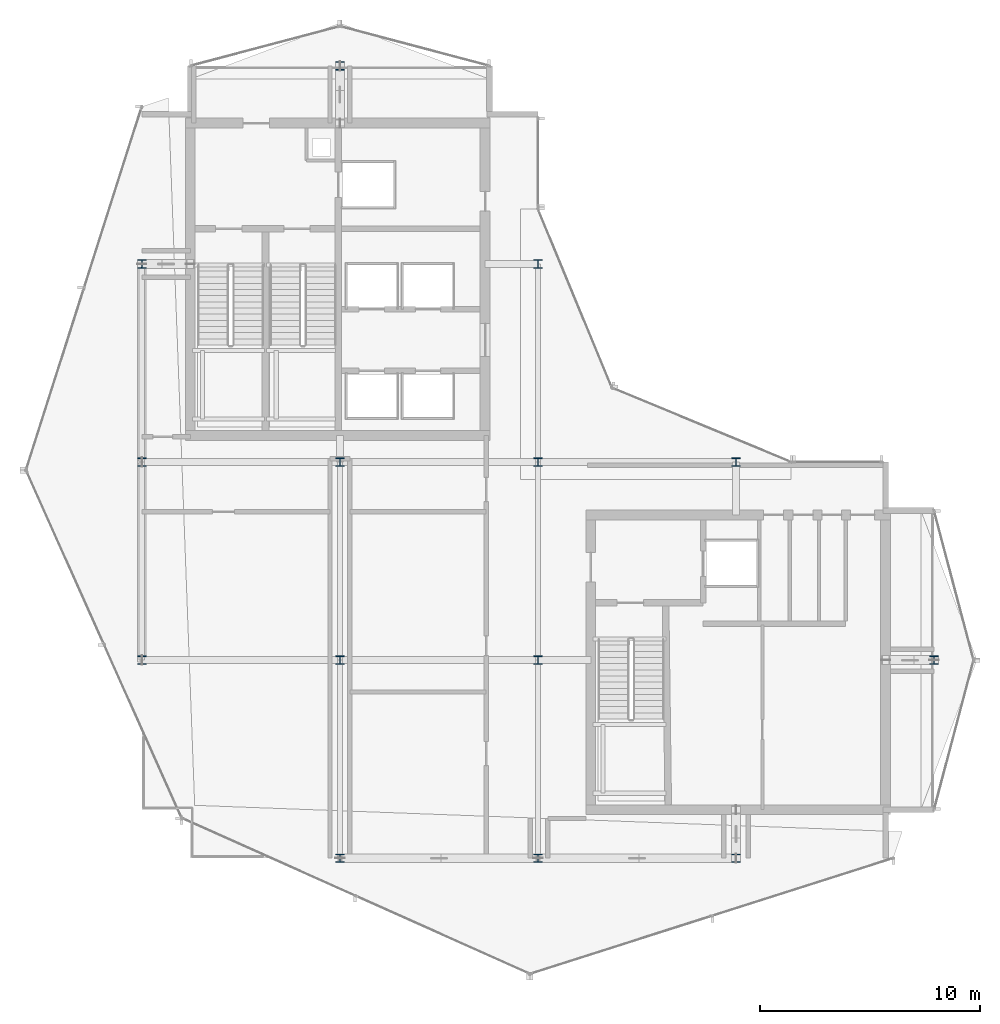
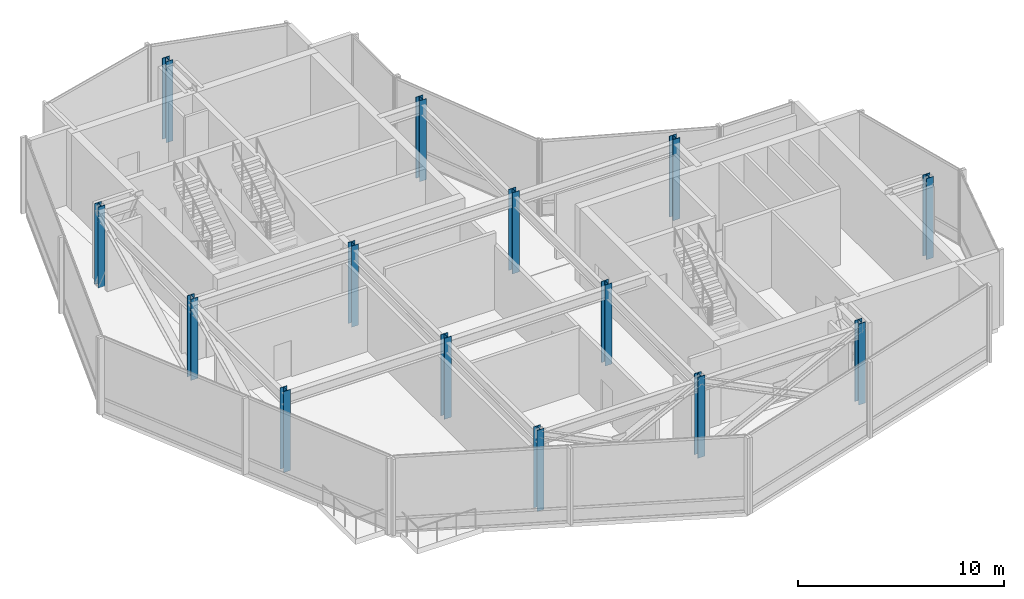
# One storey, part 1 of 23: 14 columns.
"""IFC4 building model written with IfcOpenShell, lengths in metres."""

from ifc_helpers import new_model, si_unit, direction, frame, origin, origin_2d, place, context, subcontext, project, spatial, i_section, extrude, material, material_profile, profile_set, type_object, element, save


model = new_model("IFC4")

# Units and contexts
model_context = context("Model", 3, precision=1e-05, world=origin(), true_north=direction((0.0, 1.0)))
body_context = subcontext(model_context, "Body", "Model", "MODEL_VIEW")
ifc_project = project(units=[si_unit("LENGTHUNIT", "METRE"), si_unit("AREAUNIT", "SQUARE_METRE"), si_unit("VOLUMEUNIT", "CUBIC_METRE"), si_unit("PLANEANGLEUNIT", "RADIAN"), si_unit("MASSUNIT", "GRAM", prefix="KILO")], contexts=[model_context])

# Site, building, storey
site_placement = place(None, origin())
site = spatial("IfcSite", under=ifc_project, at=site_placement, CompositionType="ELEMENT")
building_placement = place(site_placement, origin())
building = spatial("IfcBuilding", under=site, at=building_placement, Name="Solvaryn Broadcast Tower", CompositionType="ELEMENT")
storey_placement = place(building_placement, frame((0.0, 0.0, 285.199951171875)))
storey = spatial("IfcBuildingStorey", under=building, at=storey_placement, Name="L72", CompositionType="ELEMENT", Elevation=285.199951171875)

# Columns
ifc_material_1 = material(Name="Steel ASTM A913 Grade 65", Category="steel")
ifc_material_profile_1 = material_profile(ifc_material_1, i_section(OverallWidth=0.39404296875, OverallDepth=0.375, WebThickness=0.017333984375, FlangeThickness=0.027587890625, FilletRadius=0.014892578125, at=origin_2d()))
ifc_profile_set_1 = profile_set([ifc_material_profile_1], Name="Steel ASTM A913 Grade 65")
column_type_1 = type_object("IfcColumnType", Name="COL-C10E-W14X145", PredefinedType="COLUMN", material=ifc_profile_set_1)
for number, where, z_axis, x_axis, name in (
    (1, (9.0, 18.0, 0.0), (0.0, 0.0, 1.0), (1.0, 0.0, 0.0), "L72 Column (9.0, 18.0)"),
    (2, (9.0, 27.0, 0.0), (0.0, 0.0, 1.0), (1.0, 0.0, 0.0), "L72 Column (9.0, 27.0)"),
    (3, (9.0, 36.0, 0.0), (0.0, 0.0, 1.0), (1.0, 0.0, 0.0), "L72 Column (9.0, 36.0)"),
    (4, (18.0, 9.0, 0.0), (0.0, 0.0, 1.0), (1.0, 0.0, 0.0), "L72 Column (18.0, 9.0)"),
    (5, (18.0, 45.0, 0.0), (0.0, 0.0, 1.0), (1.0, 0.0, 0.0), "L72 Column (18.0, 45.0)"),
    (6, (27.0, 9.0, 0.0), (0.0, 0.0, 1.0), (1.0, 0.0, 0.0), "L72 Column (27.0, 9.0)"),
    (7, (27.0, 36.0, 0.0), (0.0, 0.0, 1.0), (1.0, 0.0, 0.0), "L72 Column (27.0, 36.0)"),
    (8, (36.0, 9.0, 0.0), (0.0, 0.0, 1.0), (1.0, 0.0, 0.0), "L72 Column (36.0, 9.0)"),
    (9, (36.0, 27.0, 0.0), (0.0, 0.0, 1.0), (1.0, 0.0, 0.0), "L72 Column (36.0, 27.0)"),
    (10, (45.0, 18.0, 0.0), (0.0, 0.0, 1.0), (1.0, 0.0, 0.0), "L72 Column (45.0, 18.0)"),
):
    element("IfcColumn", number, at=place(storey_placement, frame(where, z_axis=z_axis, x_axis=x_axis)), inside=storey, type_object=column_type_1, Name=name, PredefinedType="COLUMN", context=body_context, shape_type="SweptSolid", body=[
        extrude(i_section(OverallWidth=0.39404296875, OverallDepth=0.375, WebThickness=0.017333984375, FlangeThickness=0.027587890625, FilletRadius=0.014892578125, at=origin_2d()), origin(), (0.0, 0.0, 1.0), 4.800048828125),
    ])
ifc_material_2 = material(Name="Steel ASTM A913 Grade 65", Category="steel")
ifc_material_profile_2 = material_profile(ifc_material_2, i_section(OverallWidth=0.39404296875, OverallDepth=0.375, WebThickness=0.017333984375, FlangeThickness=0.027587890625, FilletRadius=0.014892578125, at=origin_2d()))
ifc_profile_set_2 = profile_set([ifc_material_profile_2], Name="Steel ASTM A913 Grade 65")
column_type_2 = type_object("IfcColumnType", Name="COL-C10I-W14X145", PredefinedType="COLUMN", material=ifc_profile_set_2)
for number, where, z_axis, x_axis, name in (
    (11, (18.0, 18.0, 0.0), (0.0, 0.0, 1.0), (1.0, 0.0, 0.0), "L72 Column (18.0, 18.0)"),
    (12, (18.0, 27.0, 0.0), (0.0, 0.0, 1.0), (1.0, 0.0, 0.0), "L72 Column (18.0, 27.0)"),
    (13, (27.0, 18.0, 0.0), (0.0, 0.0, 1.0), (1.0, 0.0, 0.0), "L72 Column (27.0, 18.0)"),
    (14, (27.0, 27.0, 0.0), (0.0, 0.0, 1.0), (1.0, 0.0, 0.0), "L72 Column (27.0, 27.0)"),
):
    element("IfcColumn", number, at=place(storey_placement, frame(where, z_axis=z_axis, x_axis=x_axis)), inside=storey, type_object=column_type_2, Name=name, PredefinedType="COLUMN", context=body_context, shape_type="SweptSolid", body=[
        extrude(i_section(OverallWidth=0.39404296875, OverallDepth=0.375, WebThickness=0.017333984375, FlangeThickness=0.027587890625, FilletRadius=0.014892578125, at=origin_2d()), origin(), (0.0, 0.0, 1.0), 4.800048828125),
    ])

save(model, "model.ifc")
